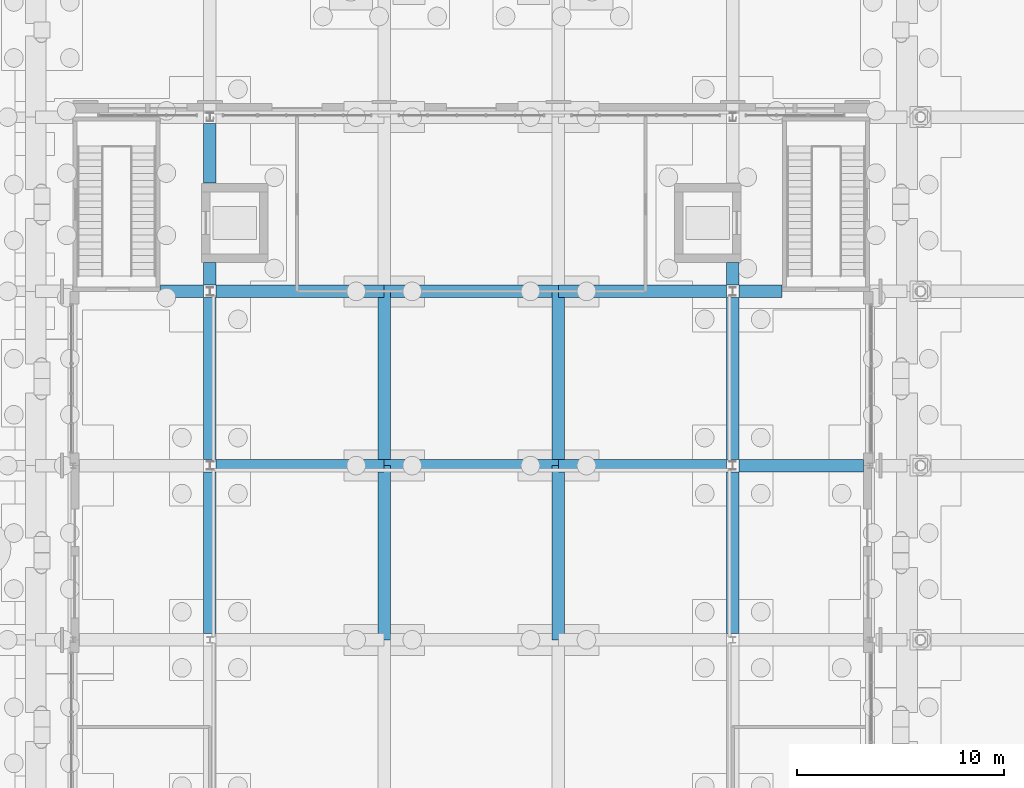
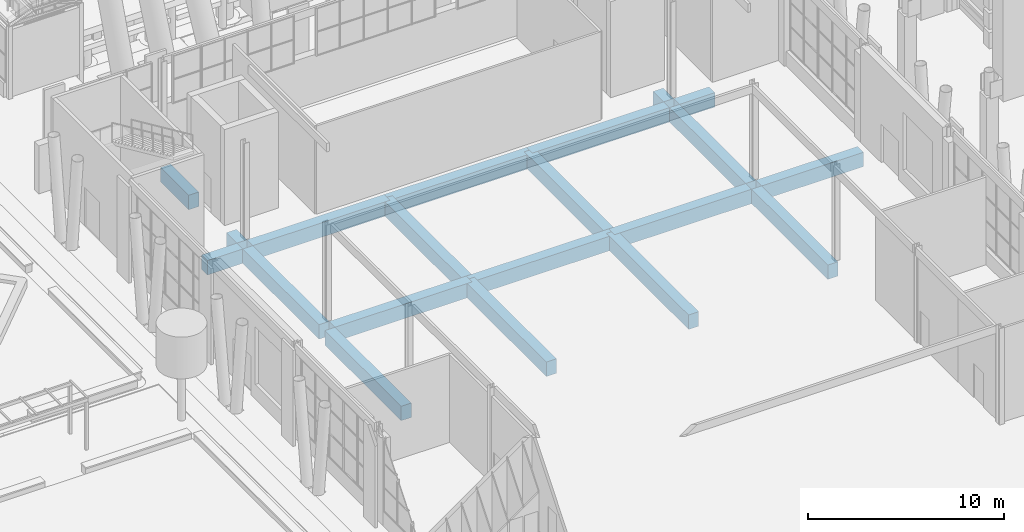
# One storey, part 53 of 222: 20 beams.
"""IFC4 building model written with IfcOpenShell, lengths in metres."""

from ifc_helpers import new_model, si_unit, direction, frame, origin, origin_2d, place, context, subcontext, project, spatial, rectangle, extrude, material, material_profile, profile_set, type_object, element, save


model = new_model("IFC4")

# Units and contexts
model_context = context("Model", 3, precision=1e-05, world=origin(), true_north=direction((0.0, 1.0)))
body_context = subcontext(model_context, "Body", "Model", "MODEL_VIEW")
ifc_project = project(units=[si_unit("LENGTHUNIT", "METRE"), si_unit("AREAUNIT", "SQUARE_METRE"), si_unit("VOLUMEUNIT", "CUBIC_METRE"), si_unit("PLANEANGLEUNIT", "RADIAN"), si_unit("MASSUNIT", "GRAM", prefix="KILO")], contexts=[model_context])

# Site, building, storey
site_placement = place(None, origin())
site = spatial("IfcSite", under=ifc_project, at=site_placement, CompositionType="ELEMENT")
building_placement = place(site_placement, origin())
building = spatial("IfcBuilding", under=site, at=building_placement, Name="Sava Quay Ferry Terminal", CompositionType="ELEMENT")
storey_placement = place(building_placement, origin())
storey = spatial("IfcBuildingStorey", under=building, at=storey_placement, Name="L00", CompositionType="ELEMENT", Elevation=0.0)

# Beams
ifc_material = material(Name="Concrete C40/50", Category="concrete")
ifc_material_profile = material_profile(ifc_material, rectangle(XDim=0.60009765625, YDim=0.89990234375, at=origin_2d()), Name="RC 600x900")
ifc_profile_set = profile_set([ifc_material_profile], Name="Concrete C40/50")
beam_type = type_object("IfcBeamType", Name="RC deck beam 600x900", PredefinedType="BEAM", material=ifc_profile_set)
beam_1_placement = place(storey_placement, frame((50.699951171875, 84.0, -0.89990234375), z_axis=(1.0, 0.0, 0.0), x_axis=(0.0, 1.0, 0.0)))
element("IfcBeam", 1, at=beam_1_placement, inside=storey, type_object=beam_type, Name="Deck beam X84-50.4", PredefinedType="BEAM", context=body_context, shape_type="SweptSolid", body=[
    extrude(rectangle(XDim=0.60009765625, YDim=0.89990234375, at=origin_2d()), origin(), (0.0, 0.0, 1.0), 8.10009765625),
])
beam_2_placement = place(storey_placement, frame((58.800048828125, 84.0, -0.89990234375), z_axis=(1.0, 0.0, 0.0), x_axis=(0.0, 1.0, 0.0)))
element("IfcBeam", 2, at=beam_2_placement, inside=storey, type_object=beam_type, Name="Deck beam X84-58.8", PredefinedType="BEAM", context=body_context, shape_type="SweptSolid", body=[
    extrude(rectangle(XDim=0.60009765625, YDim=0.89990234375, at=origin_2d()), origin(), (0.0, 0.0, 1.0), 8.39990234375),
])
beam_3_placement = place(storey_placement, frame((67.199951171875, 84.0, -0.89990234375), z_axis=(1.0, 0.0, 0.0), x_axis=(0.0, 1.0, 0.0)))
element("IfcBeam", 3, at=beam_3_placement, inside=storey, type_object=beam_type, Name="Deck beam X84-67.2", PredefinedType="BEAM", context=body_context, shape_type="SweptSolid", body=[
    extrude(rectangle(XDim=0.60009765625, YDim=0.89990234375, at=origin_2d()), origin(), (0.0, 0.0, 1.0), 8.10009765625),
])
beam_4_placement = place(storey_placement, frame((75.89990234375, 84.0, -0.89990234375), z_axis=(1.0, 0.0, 0.0), x_axis=(0.0, 1.0, 0.0)))
element("IfcBeam", 4, at=beam_4_placement, inside=storey, type_object=beam_type, Name="Deck beam X84-75.6", PredefinedType="BEAM", context=body_context, shape_type="SweptSolid", body=[
    extrude(rectangle(XDim=0.60009765625, YDim=0.89990234375, at=origin_2d()), origin(), (0.0, 0.0, 1.0), 6.0),
])
beam_5_placement = place(storey_placement, frame((48.02001953125, 92.39990234375, -0.89990234375), z_axis=(1.0, 0.0, 0.0), x_axis=(0.0, 1.0, 0.0)))
element("IfcBeam", 5, at=beam_5_placement, inside=storey, type_object=beam_type, Name="Deck beam X92.4-42", PredefinedType="BEAM", context=body_context, shape_type="SweptSolid", body=[
    extrude(rectangle(XDim=0.60009765625, YDim=0.89990234375, at=origin_2d()), origin(), (0.0, 0.0, 1.0), 2.080078125),
])
beam_6_placement = place(storey_placement, frame((50.699951171875, 92.39990234375, -0.89990234375), z_axis=(1.0, 0.0, 0.0), x_axis=(0.0, 1.0, 0.0)))
element("IfcBeam", 6, at=beam_6_placement, inside=storey, type_object=beam_type, Name="Deck beam X92.4-50.4", PredefinedType="BEAM", context=body_context, shape_type="SweptSolid", body=[
    extrude(rectangle(XDim=0.60009765625, YDim=0.89990234375, at=origin_2d()), origin(), (0.0, 0.0, 1.0), 8.10009765625),
])
beam_7_placement = place(storey_placement, frame((58.800048828125, 92.39990234375, -0.89990234375), z_axis=(1.0, 0.0, 0.0), x_axis=(0.0, 1.0, 0.0)))
element("IfcBeam", 7, at=beam_7_placement, inside=storey, type_object=beam_type, Name="Deck beam X92.4-58.8", PredefinedType="BEAM", context=body_context, shape_type="SweptSolid", body=[
    extrude(rectangle(XDim=0.60009765625, YDim=0.89990234375, at=origin_2d()), origin(), (0.0, 0.0, 1.0), 8.39990234375),
])
beam_8_placement = place(storey_placement, frame((67.199951171875, 92.39990234375, -0.89990234375), z_axis=(1.0, 0.0, 0.0), x_axis=(0.0, 1.0, 0.0)))
element("IfcBeam", 8, at=beam_8_placement, inside=storey, type_object=beam_type, Name="Deck beam X92.4-67.2", PredefinedType="BEAM", context=body_context, shape_type="SweptSolid", body=[
    extrude(rectangle(XDim=0.60009765625, YDim=0.89990234375, at=origin_2d()), origin(), (0.0, 0.0, 1.0), 8.10009765625),
])
beam_9_placement = place(storey_placement, frame((75.89990234375, 92.39990234375, -0.89990234375), z_axis=(1.0, 0.0, 0.0), x_axis=(0.0, 1.0, 0.0)))
element("IfcBeam", 9, at=beam_9_placement, inside=storey, type_object=beam_type, Name="Deck beam X92.4-75.6", PredefinedType="BEAM", context=body_context, shape_type="SweptSolid", body=[
    extrude(rectangle(XDim=0.60009765625, YDim=0.89990234375, at=origin_2d()), origin(), (0.0, 0.0, 1.0), 2.080078125),
])
for number, where, z_axis, x_axis, name in (
    (10, (50.39990234375, 75.89990234375, -0.89990234375), (0.0, 1.0, 0.0), (-1.0, 0.0, 0.0), "Deck beam Y50.4-75.6"),
    (11, (50.39990234375, 84.300048828125, -0.89990234375), (0.0, 1.0, 0.0), (-1.0, 0.0, 0.0), "Deck beam Y50.4-84"),
):
    element("IfcBeam", number, at=place(storey_placement, frame(where, z_axis=z_axis, x_axis=x_axis)), inside=storey, type_object=beam_type, Name=name, PredefinedType="BEAM", context=body_context, shape_type="SweptSolid", body=[
        extrude(rectangle(XDim=0.60009765625, YDim=0.89990234375, at=origin_2d()), origin(), (0.0, 0.0, 1.0), 7.800048828125),
    ])
beam_10_placement = place(storey_placement, frame((50.39990234375, 92.699951171875, -0.89990234375), z_axis=(0.0, 1.0, 0.0), x_axis=(-1.0, 0.0, 0.0)))
element("IfcBeam", 12, at=beam_10_placement, inside=storey, type_object=beam_type, Name="Deck beam Y50.4-92.4", PredefinedType="BEAM", context=body_context, shape_type="SweptSolid", body=[
    extrude(rectangle(XDim=0.60009765625, YDim=0.89990234375, at=origin_2d()), origin(), (0.0, 0.0, 1.0), 1.080078125),
])
beam_11_placement = place(storey_placement, frame((50.39990234375, 97.6201171875, -0.89990234375), z_axis=(0.0, 1.0, 0.0), x_axis=(-1.0, 0.0, 0.0)))
element("IfcBeam", 13, at=beam_11_placement, inside=storey, type_object=beam_type, Name="Deck beam Y50.4-92.4", PredefinedType="BEAM", context=body_context, shape_type="SweptSolid", body=[
    extrude(rectangle(XDim=0.60009765625, YDim=0.89990234375, at=origin_2d()), origin(), (0.0, 0.0, 1.0), 2.8798828125),
])
for number, where, z_axis, x_axis, name in (
    (14, (58.800048828125, 75.60009765625, -0.89990234375), (0.0, 1.0, 0.0), (-1.0, 0.0, 0.0), "Deck beam Y58.8-75.6"),
    (15, (58.800048828125, 84.0, -0.89990234375), (0.0, 1.0, 0.0), (-1.0, 0.0, 0.0), "Deck beam Y58.8-84"),
    (16, (67.199951171875, 75.60009765625, -0.89990234375), (0.0, 1.0, 0.0), (-1.0, 0.0, 0.0), "Deck beam Y67.2-75.6"),
    (17, (67.199951171875, 84.0, -0.89990234375), (0.0, 1.0, 0.0), (-1.0, 0.0, 0.0), "Deck beam Y67.2-84"),
):
    element("IfcBeam", number, at=place(storey_placement, frame(where, z_axis=z_axis, x_axis=x_axis)), inside=storey, type_object=beam_type, Name=name, PredefinedType="BEAM", context=body_context, shape_type="SweptSolid", body=[
        extrude(rectangle(XDim=0.60009765625, YDim=0.89990234375, at=origin_2d()), origin(), (0.0, 0.0, 1.0), 8.39990234375),
    ])
for number, where, z_axis, x_axis, name in (
    (18, (75.60009765625, 75.89990234375, -0.89990234375), (0.0, 1.0, 0.0), (-1.0, 0.0, 0.0), "Deck beam Y75.6-75.6"),
    (19, (75.60009765625, 84.300048828125, -0.89990234375), (0.0, 1.0, 0.0), (-1.0, 0.0, 0.0), "Deck beam Y75.6-84"),
):
    element("IfcBeam", number, at=place(storey_placement, frame(where, z_axis=z_axis, x_axis=x_axis)), inside=storey, type_object=beam_type, Name=name, PredefinedType="BEAM", context=body_context, shape_type="SweptSolid", body=[
        extrude(rectangle(XDim=0.60009765625, YDim=0.89990234375, at=origin_2d()), origin(), (0.0, 0.0, 1.0), 7.800048828125),
    ])
beam_12_placement = place(storey_placement, frame((75.60009765625, 92.699951171875, -0.89990234375), z_axis=(0.0, 1.0, 0.0), x_axis=(-1.0, 0.0, 0.0)))
element("IfcBeam", 20, at=beam_12_placement, inside=storey, type_object=beam_type, Name="Deck beam Y75.6-92.4", PredefinedType="BEAM", context=body_context, shape_type="SweptSolid", body=[
    extrude(rectangle(XDim=0.60009765625, YDim=0.89990234375, at=origin_2d()), origin(), (0.0, 0.0, 1.0), 1.080078125),
])

save(model, "model.ifc")
